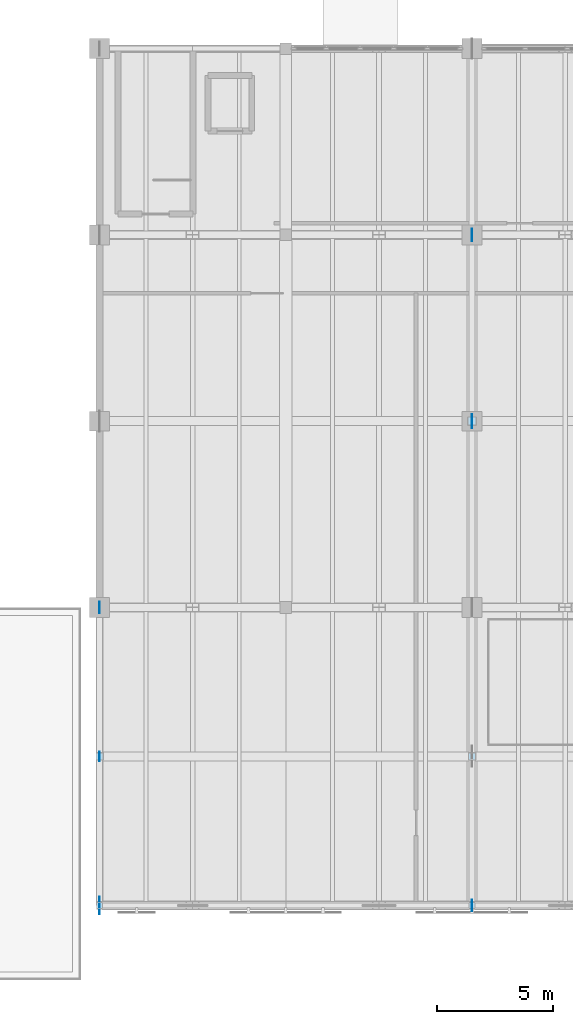
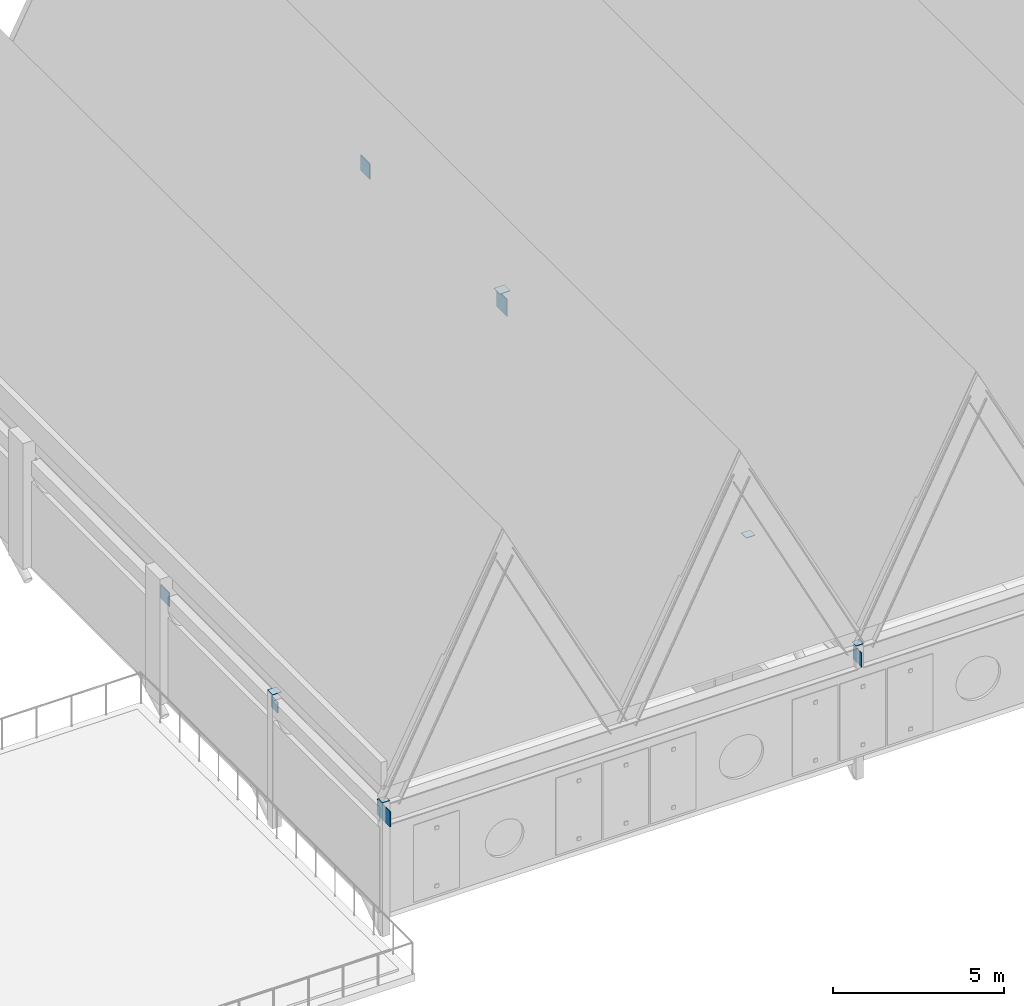
# One storey, part 42 of 72: 11 plates.
"""IFC4 building model written with IfcOpenShell, lengths in metres."""

from ifc_helpers import new_model, si_unit, direction, frame, origin, origin_2d, place, context, subcontext, project, spatial, rectangle, extrude, material, layer, layer_set, type_object, element, save


model = new_model("IFC4")

# Units and contexts
model_context = context("Model", 3, precision=1e-05, world=origin(), true_north=direction((0.0, 1.0)))
body_context = subcontext(model_context, "Body", "Model", "MODEL_VIEW")
ifc_project = project(units=[si_unit("LENGTHUNIT", "METRE"), si_unit("AREAUNIT", "SQUARE_METRE"), si_unit("VOLUMEUNIT", "CUBIC_METRE"), si_unit("PLANEANGLEUNIT", "RADIAN"), si_unit("MASSUNIT", "GRAM", prefix="KILO")], contexts=[model_context])

# Site, building, storey
site_placement = place(None, origin())
site = spatial("IfcSite", under=ifc_project, at=site_placement, CompositionType="ELEMENT")
building_placement = place(site_placement, origin())
building = spatial("IfcBuilding", under=site, at=building_placement, Name="Tlaxcora Railside Police Headquarters", CompositionType="ELEMENT")
storey_placement = place(building_placement, frame((0.0, 0.0, 13.5)))
storey = spatial("IfcBuildingStorey", under=building, at=storey_placement, Name="L03", CompositionType="ELEMENT", Elevation=13.5)

# Plates
ifc_material = material(Name="Steel ASTM A992 Grade 50", Category="steel")
ifc_layer_1 = layer(ifc_material, 0.02392578125, Name="Steel ASTM A992 Grade 50")
ifc_layer_set_1 = layer_set([ifc_layer_1], Name="Steel ASTM A992 Grade 50")
plate_type_1 = type_object("IfcPlateType", Name="Structural Gusset or Cap Plate GP-20", PredefinedType="USERDEFINED", material=ifc_layer_set_1)
plate_1_placement = place(storey_placement, frame((62.0, 52.0, 3.2451171875), z_axis=(0.0, 0.0, 1.0), x_axis=(0.0, 1.0, 0.0)))
element("IfcPlate", 1, at=plate_1_placement, inside=storey, type_object=plate_type_1, Name="Truss top-chord gusset plate KNT-2-1", ObjectType="GUSSET PLATE", PredefinedType="USERDEFINED", context=body_context, shape_type="SweptSolid", body=[
    extrude(rectangle(XDim=0.550048828125, YDim=0.02392578125, at=origin_2d()), origin(), (0.0, 0.0, 1.0), 0.550048828125),
])
ifc_layer_2 = layer(ifc_material, 0.02490234375, Name="Steel ASTM A992 Grade 50")
ifc_layer_set_2 = layer_set([ifc_layer_2], Name="Steel ASTM A992 Grade 50")
plate_type_2 = type_object("IfcPlateType", Name="Structural Gusset or Cap Plate GP-22", PredefinedType="USERDEFINED", material=ifc_layer_set_2)
plate_2_placement = place(storey_placement, frame((46.0, 29.60009765625, 3.97998046875), z_axis=(0.0, 0.0, 1.0), x_axis=(1.0, 0.0, 0.0)))
element("IfcPlate", 2, at=plate_2_placement, inside=storey, type_object=plate_type_2, Name="Truss TR-1 post top seal cap 4", ObjectType="GUSSET PLATE", PredefinedType="USERDEFINED", context=body_context, shape_type="SweptSolid", body=[
    extrude(rectangle(XDim=0.300048828125, YDim=0.300048828125, at=origin_2d()), origin(), (0.0, 0.0, 1.0), 0.02001953125),
])
plate_3_placement = place(storey_placement, frame((46.0, 23.199951171875, 3.97998046875), z_axis=(0.0, 0.0, 1.0), x_axis=(1.0, 0.0, 0.0)))
element("IfcPlate", 3, at=plate_3_placement, inside=storey, type_object=plate_type_2, Name="Truss TR-1 post top seal cap 5", ObjectType="GUSSET PLATE", PredefinedType="USERDEFINED", context=body_context, shape_type="SweptSolid", body=[
    extrude(rectangle(XDim=0.25, YDim=0.25, at=origin_2d()), origin(), (0.0, 0.0, 1.0), 0.02001953125),
])
plate_4_placement = place(storey_placement, frame((62.0, 44.0, 3.97998046875), z_axis=(0.0, 0.0, 1.0), x_axis=(1.0, 0.0, 0.0)))
element("IfcPlate", 4, at=plate_4_placement, inside=storey, type_object=plate_type_2, Name="Truss TR-2 post top seal cap 2", ObjectType="GUSSET PLATE", PredefinedType="USERDEFINED", context=body_context, shape_type="SweptSolid", body=[
    extrude(rectangle(XDim=0.35009765625, YDim=0.35009765625, at=origin_2d()), origin(), (0.0, 0.0, 1.0), 0.02001953125),
])
plate_5_placement = place(storey_placement, frame((62.0, 44.0, 3.219970703125), z_axis=(0.0, 0.0, 1.0), x_axis=(0.0, 1.0, 0.0)))
element("IfcPlate", 5, at=plate_5_placement, inside=storey, type_object=plate_type_2, Name="Truss top-chord gusset plate KNT-2-2", ObjectType="GUSSET PLATE", PredefinedType="USERDEFINED", context=body_context, shape_type="SweptSolid", body=[
    extrude(rectangle(XDim=0.60009765625, YDim=0.02490234375, at=origin_2d()), origin(), (0.0, 0.0, 1.0), 0.60009765625),
])
plate_6_placement = place(storey_placement, frame((62.0, 29.60009765625, 3.97998046875), z_axis=(0.0, 0.0, 1.0), x_axis=(1.0, 0.0, 0.0)))
element("IfcPlate", 6, at=plate_6_placement, inside=storey, type_object=plate_type_2, Name="Truss TR-2 post top seal cap 4", ObjectType="GUSSET PLATE", PredefinedType="USERDEFINED", context=body_context, shape_type="SweptSolid", body=[
    extrude(rectangle(XDim=0.300048828125, YDim=0.300048828125, at=origin_2d()), origin(), (0.0, 0.0, 1.0), 0.02001953125),
])
plate_7_placement = place(storey_placement, frame((62.0, 23.199951171875, 3.97998046875), z_axis=(0.0, 0.0, 1.0), x_axis=(1.0, 0.0, 0.0)))
element("IfcPlate", 7, at=plate_7_placement, inside=storey, type_object=plate_type_2, Name="Truss TR-2 post top seal cap 5", ObjectType="GUSSET PLATE", PredefinedType="USERDEFINED", context=body_context, shape_type="SweptSolid", body=[
    extrude(rectangle(XDim=0.25, YDim=0.25, at=origin_2d()), origin(), (0.0, 0.0, 1.0), 0.02001953125),
])
ifc_layer_3 = layer(ifc_material, 0.02197265625, Name="Steel ASTM A992 Grade 50")
ifc_layer_set_3 = layer_set([ifc_layer_3], Name="Steel ASTM A992 Grade 50")
plate_type_3 = type_object("IfcPlateType", Name="Structural Gusset or Cap Plate GP-24", PredefinedType="USERDEFINED", material=ifc_layer_set_3)
for number, where, z_axis, x_axis, name in (
    (8, (46.0, 36.0, 3.27001953125), (0.0, 0.0, 1.0), (0.0, 1.0, 0.0), "Truss top-chord gusset plate KNT-1-3"),
    (9, (62.0, 23.199951171875, 3.27001953125), (0.0, 0.0, 1.0), (0.0, 1.0, 0.0), "Truss top-chord gusset plate KNT-2-5"),
):
    element("IfcPlate", number, at=place(storey_placement, frame(where, z_axis=z_axis, x_axis=x_axis)), inside=storey, type_object=plate_type_3, Name=name, ObjectType="GUSSET PLATE", PredefinedType="USERDEFINED", context=body_context, shape_type="SweptSolid", body=[
        extrude(rectangle(XDim=0.5, YDim=0.02197265625, at=origin_2d()), origin(), (0.0, 0.0, 1.0), 0.5),
    ])
ifc_layer_4 = layer(ifc_material, 0.02001953125, Name="Steel ASTM A992 Grade 50")
ifc_layer_set_4 = layer_set([ifc_layer_4], Name="Steel ASTM A992 Grade 50")
plate_type_4 = type_object("IfcPlateType", Name="Structural Gusset or Cap Plate GP-37", PredefinedType="USERDEFINED", material=ifc_layer_set_4)
plate_8_placement = place(storey_placement, frame((46.0, 29.60009765625, 3.320068359375), z_axis=(0.0, 0.0, 1.0), x_axis=(0.0, 1.0, 0.0)))
element("IfcPlate", 10, at=plate_8_placement, inside=storey, type_object=plate_type_4, Name="Truss top-chord gusset plate KNT-1-4", ObjectType="GUSSET PLATE", PredefinedType="USERDEFINED", context=body_context, shape_type="SweptSolid", body=[
    extrude(rectangle(XDim=0.39990234375, YDim=0.02001953125, at=origin_2d()), origin(), (0.0, 0.0, 1.0), 0.39990234375),
])
ifc_layer_5 = layer(ifc_material, 0.028076171875, Name="Steel ASTM A992 Grade 50")
ifc_layer_set_5 = layer_set([ifc_layer_5], Name="Steel ASTM A992 Grade 50")
plate_type_5 = type_object("IfcPlateType", Name="Structural Gusset or Cap Plate GP-68", PredefinedType="USERDEFINED", material=ifc_layer_set_5)
plate_9_placement = place(storey_placement, frame((46.0, 23.199951171875, 3.2451171875), z_axis=(0.0, 0.0, 1.0), x_axis=(0.0, 1.0, 0.0)))
element("IfcPlate", 11, at=plate_9_placement, inside=storey, type_object=plate_type_5, Name="Truss top-chord gusset plate KNT-1-5", ObjectType="GUSSET PLATE", PredefinedType="USERDEFINED", context=body_context, shape_type="SweptSolid", body=[
    extrude(rectangle(XDim=0.75, YDim=0.028076171875, at=origin_2d()), origin(), (0.0, 0.0, 1.0), 0.550048828125),
])

save(model, "model.ifc")
